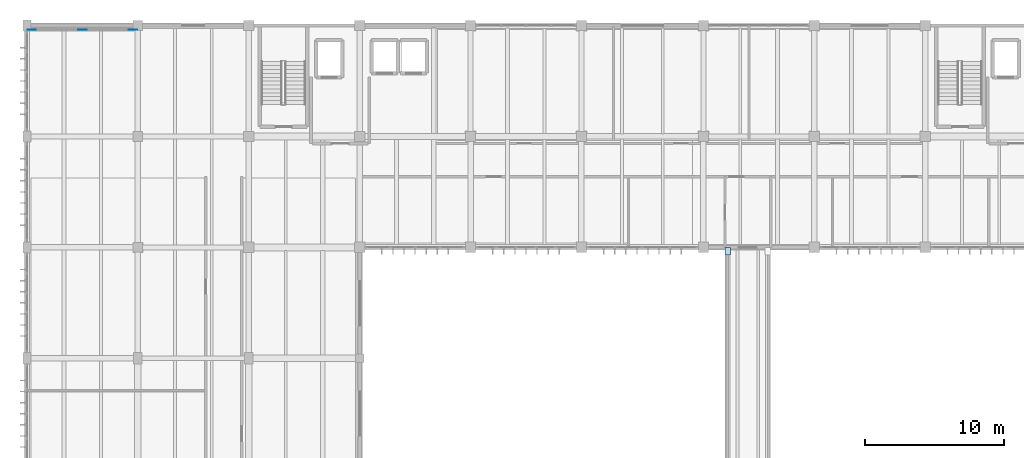
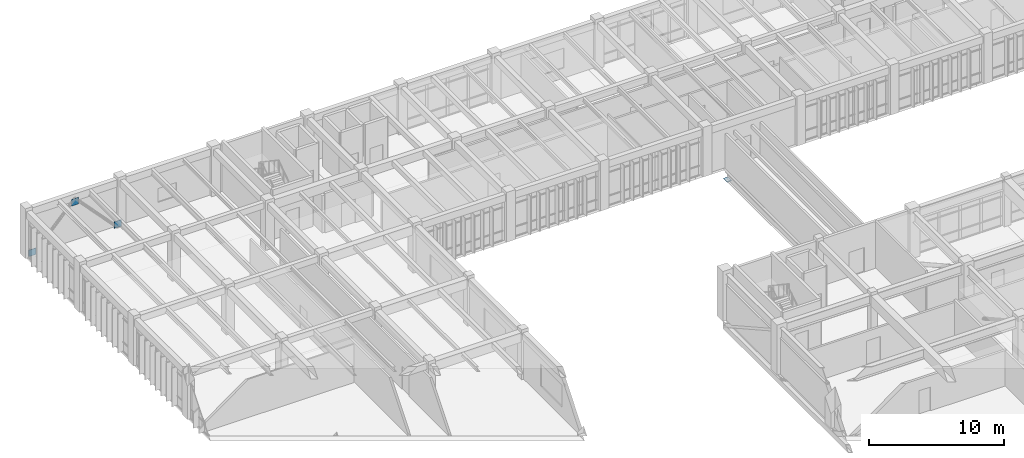
# One storey, part 50 of 79: 4 plates.
"""IFC4 building model written with IfcOpenShell, lengths in metres."""

import ifcopenshell
import ifcopenshell.guid

model = None  # the IFC model being written
_history = None  # IfcOwnerHistory: only IFC2X3 demands one
_inside = {}  # id of a spatial element -> (the spatial element, [elements in it])
_under = {}  # id of a project, library or spatial element -> (it, [spatial elements below it])
_declared = {}  # id of a project -> (the project, [libraries it declares])
_typed = {}  # id of a type object -> (the type object, [elements of that type])
_made_of = {}  # id of a material, layer set ... -> (it, [elements and type objects made of it])


def new_model(schema):
    """Start an empty IFC model of exactly this schema.

    Asked for "IFC4X3", IfcOpenShell would pick the latest addendum, in which some entities
    have other attributes; the version numbers below select the first issue.
    IFC2X3 requires an IfcOwnerHistory on every rooted entity: one is made here for all.
    """
    global model, _history
    if schema == "IFC4X3":
        model = ifcopenshell.file(schema_version=(4, 3, 0, 0))
    else:
        model = ifcopenshell.file(schema=schema)
    _inside.clear()
    _under.clear()
    _declared.clear()
    _typed.clear()
    _made_of.clear()
    _history = None
    if model.schema == "IFC2X3":
        org = make("IfcOrganization", Name="unknown")
        user = make(
            "IfcPersonAndOrganization",
            ThePerson=make("IfcPerson", FamilyName="unknown"),
            TheOrganization=org,
        )
        app = make(
            "IfcApplication",
            ApplicationDeveloper=org,
            Version="unknown",
            ApplicationFullName="unknown",
            ApplicationIdentifier="unknown",
        )
        _history = make(
            "IfcOwnerHistory",
            OwningUser=user,
            OwningApplication=app,
            ChangeAction="ADDED",
            CreationDate=0,
        )
    return model


def make(cls, **values):
    """One entity of the class cls with the attributes given. An attribute that is None is left unset."""
    return model.create_entity(
        cls, **{name: value for name, value in values.items() if value is not None}
    )


def rooted(cls, **values):
    """An entity with a GlobalId (a new one), such as an element, a storey or a relation."""
    return make(cls, GlobalId=ifcopenshell.guid.new(), OwnerHistory=_history, **values)


def si_unit(unit_type, name, prefix=None):
    """IfcSIUnit, for example si_unit("LENGTHUNIT", "METRE", prefix="MILLI")."""
    return make("IfcSIUnit", UnitType=unit_type, Prefix=prefix, Name=name)


def assignment(units):
    """IfcUnitAssignment: the units of a project."""
    return None if units is None else make("IfcUnitAssignment", Units=units)


def point(xyz):
    """IfcCartesianPoint."""
    return None if xyz is None else make("IfcCartesianPoint", Coordinates=xyz)


def direction(xyz):
    """IfcDirection."""
    return None if xyz is None else make("IfcDirection", DirectionRatios=xyz)


def frame(location, z_axis=None, x_axis=None):
    """IfcAxis2Placement3D, a coordinate frame: its origin and axes. An axis left out is left unset."""
    return make(
        "IfcAxis2Placement3D",
        Location=point(location),
        Axis=direction(z_axis),
        RefDirection=direction(x_axis),
    )


def frame_2d(location, x_axis=None):
    """IfcAxis2Placement2D, a coordinate frame in the plane: its origin and x axis."""
    return make(
        "IfcAxis2Placement2D", Location=point(location), RefDirection=direction(x_axis)
    )


def origin():
    """The frame at (0, 0, 0) with its axes left unset."""
    return frame((0.0, 0.0, 0.0))


def origin_2d():
    """The frame at (0, 0) in the plane with its x axis left unset."""
    return frame_2d((0.0, 0.0))


def place(relative_to, where):
    """IfcLocalPlacement: puts the frame where relative to a parent placement (None: the world)."""
    return make(
        "IfcLocalPlacement", PlacementRelTo=relative_to, RelativePlacement=where
    )


def context(
    kind, dimensions, precision=None, world=None, true_north=None, identifier=None
):
    """IfcGeometricRepresentationContext, for example the 3D "Model" context."""
    return make(
        "IfcGeometricRepresentationContext",
        ContextIdentifier=identifier,
        ContextType=kind,
        CoordinateSpaceDimension=dimensions,
        Precision=precision,
        WorldCoordinateSystem=world,
        TrueNorth=true_north,
    )


def subcontext(parent, identifier, kind, view, scale=None):
    """IfcGeometricRepresentationSubContext, for example "Body" below "Model"."""
    return make(
        "IfcGeometricRepresentationSubContext",
        ContextIdentifier=identifier,
        ContextType=kind,
        ParentContext=parent,
        TargetScale=scale,
        TargetView=view,
    )


def project(units=None, contexts=None):
    """IfcProject with its units and contexts."""
    return rooted(
        "IfcProject",
        Name="project",
        RepresentationContexts=contexts,
        UnitsInContext=assignment(units),
    )


def spatial(cls, under=None, at=None, **own):
    """A site, building, storey or space (cls), placed at a placement, below another one or the project."""
    s = rooted(cls, ObjectPlacement=at, **own)
    if under is not None:
        _under.setdefault(under.id(), (under, []))[1].append(s)
    return s


def profile(cls, at=None, kind="AREA", **sizes):
    """A parametric profile (cls). Its sizes go by their IFC names, for example OverallWidth=200.0."""
    return make(cls, ProfileType=kind, Position=at, **sizes)


def rectangle(**sizes):
    """IfcRectangleProfileDef."""
    return profile("IfcRectangleProfileDef", **sizes)


def extrude(swept, where, along, depth):
    """IfcExtrudedAreaSolid: the profile swept, set in the frame where, extruded along a direction by depth."""
    return make(
        "IfcExtrudedAreaSolid",
        SweptArea=swept,
        Position=where,
        ExtrudedDirection=direction(along),
        Depth=depth,
    )


def shape(context_of_items, identifier, shape_type, items):
    """IfcShapeRepresentation: the items that make up one representation, for example the "Body"."""
    return make(
        "IfcShapeRepresentation",
        ContextOfItems=context_of_items,
        RepresentationIdentifier=identifier,
        RepresentationType=shape_type,
        Items=items,
    )


def material(Name=None, Category=None):
    """IfcMaterial."""
    return make("IfcMaterial", Name=Name, Category=Category)


def layer(
    of_material, thickness, ventilated=None, Name=None, Category=None, Priority=None
):
    """IfcMaterialLayer: one layer of a wall or slab, of a material (None: an air gap)."""
    return make(
        "IfcMaterialLayer",
        Material=of_material,
        LayerThickness=thickness,
        IsVentilated=ventilated,
        Name=Name,
        Category=Category,
        Priority=Priority,
    )


def layer_set(layers, Name=None):
    """IfcMaterialLayerSet."""
    return make("IfcMaterialLayerSet", MaterialLayers=layers, LayerSetName=Name)


def made_of(thing, what):
    """Note that an element or type object is made of a material, layer set ...; save() writes the relation."""
    if what is not None:
        _made_of.setdefault(what.id(), (what, []))[1].append(thing)
    return thing


def type_object(cls, material=None, **own):
    """A type object (cls), such as IfcWallType, which elements share."""
    return made_of(rooted(cls, **own), material)


def element(
    cls,
    number,
    at=None,
    inside=None,
    cuts=None,
    type_object=None,
    material=None,
    context=None,
    identifier="Body",
    shape_type=None,
    held_by="IfcProductDefinitionShape",
    body=None,
    shapes=None,
    **own,
):
    """One element of the class cls, such as IfcWall. Its Tag is "e" and its number.

    at: its placement. inside: the storey or other place that contains it. cuts: it is an
    opening in that element (IfcRelVoidsElement). A single representation is given by context,
    identifier, shape_type and body (its items); several are given by shapes. held_by: the class
    of the entity that holds the representations. save() writes the other relations.
    """
    e = rooted(cls, Tag="e%d" % number, ObjectPlacement=at, **own)
    if body is not None:
        shapes = [shape(context, identifier, shape_type, body)]
    if shapes is not None:
        e.Representation = make(held_by, Representations=shapes)
    if inside is not None:
        _inside.setdefault(inside.id(), (inside, []))[1].append(e)
    if cuts is not None:
        rooted(
            "IfcRelVoidsElement", RelatingBuildingElement=cuts, RelatedOpeningElement=e
        )
    if type_object is not None:
        _typed.setdefault(type_object.id(), (type_object, []))[1].append(e)
    return made_of(e, material)


def aggregate(whole, parts):
    """IfcRelAggregates: a whole, such as a stair, and the parts it consists of."""
    return rooted("IfcRelAggregates", RelatingObject=whole, RelatedObjects=parts)


def save(model, path):
    """Write the relations noted so far, then the file.

    IfcRelAggregates (storeys below a building ...), IfcRelContainedInSpatialStructure (elements
    in a storey), IfcRelDefinesByType, IfcRelAssociatesMaterial and IfcRelDeclares: one each for
    every whole, place, type object, material and project.
    """
    for whole, parts in _under.values():
        aggregate(whole, parts)
    for where, things in _inside.values():
        rooted(
            "IfcRelContainedInSpatialStructure",
            RelatedElements=things,
            RelatingStructure=where,
        )
    for kind, things in _typed.values():
        rooted("IfcRelDefinesByType", RelatedObjects=things, RelatingType=kind)
    for what, things in _made_of.values():
        rooted("IfcRelAssociatesMaterial", RelatedObjects=things, RelatingMaterial=what)
    for by, libraries in _declared.values():
        rooted("IfcRelDeclares", RelatingContext=by, RelatedDefinitions=libraries)
    model.write(path)


model = new_model("IFC4")

# Units and contexts
model_context = context("Model", 3, precision=1e-05, world=origin(), true_north=direction((0.0, 1.0)))
body_context = subcontext(model_context, "Body", "Model", "MODEL_VIEW")
ifc_project = project(units=[si_unit("LENGTHUNIT", "METRE"), si_unit("AREAUNIT", "SQUARE_METRE"), si_unit("VOLUMEUNIT", "CUBIC_METRE"), si_unit("PLANEANGLEUNIT", "RADIAN"), si_unit("MASSUNIT", "GRAM", prefix="KILO")], contexts=[model_context])

# Site, building, storey
site_placement = place(None, origin())
site = spatial("IfcSite", under=ifc_project, at=site_placement, CompositionType="ELEMENT")
building_placement = place(site_placement, origin())
building = spatial("IfcBuilding", under=site, at=building_placement, Name="Tlaxcora Railside Police Headquarters", CompositionType="ELEMENT")
storey_placement = place(building_placement, frame((0.0, 0.0, 9.0)))
storey = spatial("IfcBuildingStorey", under=building, at=storey_placement, Name="L02", CompositionType="ELEMENT", Elevation=9.0)

# Plates
ifc_material = material(Name="Steel ASTM A992 Grade 50", Category="steel")
ifc_layer = layer(ifc_material, 0.02490234375, Name="Steel ASTM A992 Grade 50")
ifc_layer_set = layer_set([ifc_layer], Name="Steel ASTM A992 Grade 50")
plate_type = type_object("IfcPlateType", Name="Structural Gusset or Cap Plate GP-22", PredefinedType="USERDEFINED", material=ifc_layer_set)
plate_placement = place(storey_placement, frame((55.75, 76.52490234375, -1.03515625), z_axis=(0.0, 0.0, 1.0), x_axis=(1.0, 0.0, 0.0)))
element("IfcPlate", 1, at=plate_placement, inside=storey, type_object=plate_type, Name="Bridge 550mm PTFE sliding bearing seat N X=55.75", ObjectType="GUSSET PLATE", PredefinedType="USERDEFINED", context=body_context, shape_type="SweptSolid", body=[
    extrude(rectangle(XDim=0.39990234375, YDim=0.550048828125, at=origin_2d()), origin(), (0.0, 0.0, 1.0), 0.034912109375),
])
for number, where, z_axis, x_axis, name in (
    (2, (5.550048828125, 92.5, 0.0), (0.0, 0.0, 1.0), (1.0, 0.0, 0.0), "Chevron brace 2 gusset plate L"),
    (3, (12.85009765625, 92.5, 0.0), (0.0, 0.0, 1.0), (1.0, 0.0, 0.0), "Chevron brace 2 gusset plate R"),
    (4, (9.199951171875, 92.5, 3.300048828125), (0.0, 0.0, 1.0), (1.0, 0.0, 0.0), "Chevron brace 2 gusset plate APEX"),
):
    element("IfcPlate", number, at=place(storey_placement, frame(where, z_axis=z_axis, x_axis=x_axis)), inside=storey, type_object=plate_type, Name=name, ObjectType="GUSSET PLATE", PredefinedType="USERDEFINED", context=body_context, shape_type="SweptSolid", body=[
        extrude(rectangle(XDim=0.60009765625, YDim=0.02490234375, at=origin_2d()), origin(), (0.0, 0.0, 1.0), 0.60009765625),
    ])

save(model, "model.ifc")
